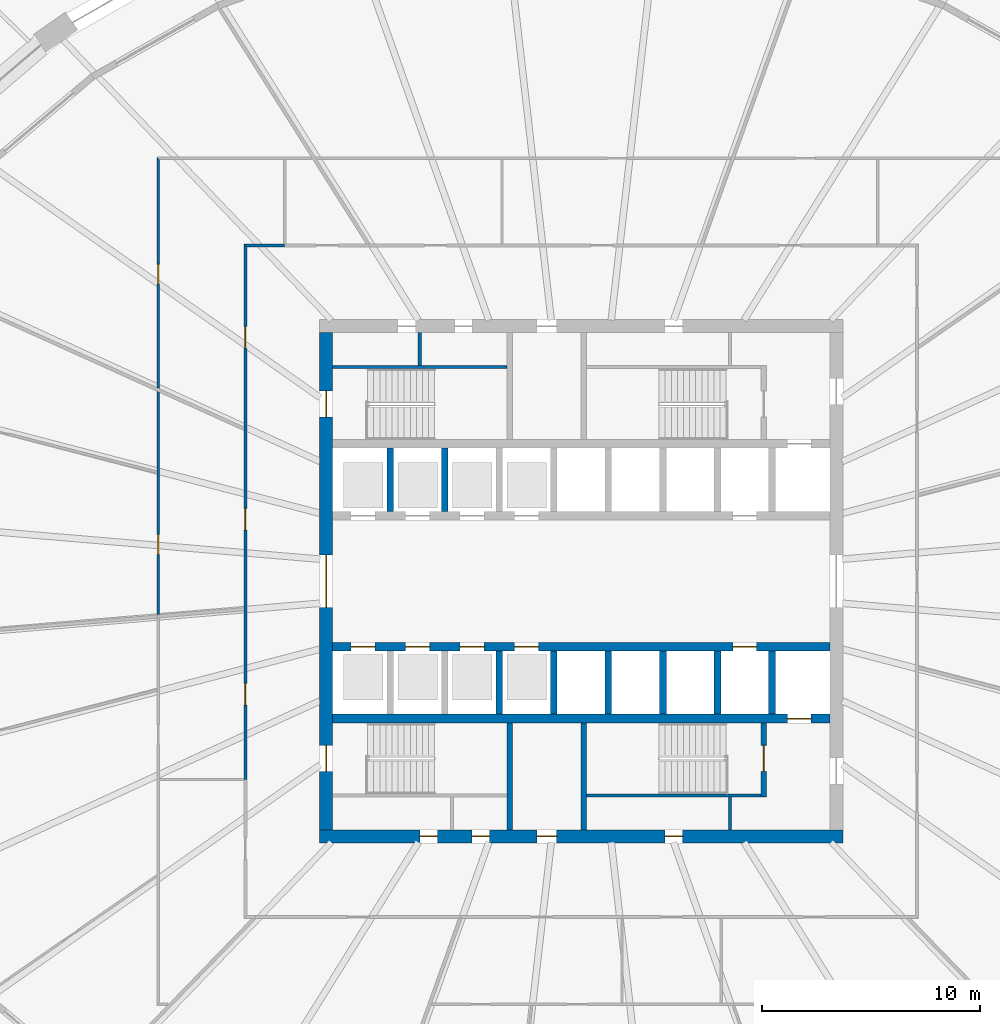
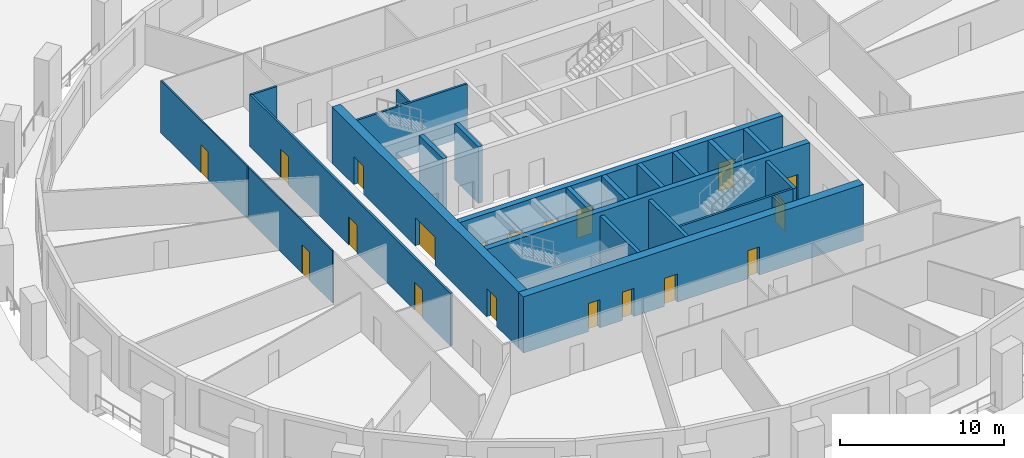
# One storey, part 7 of 16: 23 walls, 19 doors, 19 openings.
"""IFC4 building model written with IfcOpenShell, lengths in metres."""

from ifc_helpers import new_model, si_unit, direction, frame, frame_2d, origin, place, context, subcontext, project, spatial, polyline, rectangle, outline, extrude, material, layer, layer_set, type_object, element, fill, save


model = new_model("IFC4")

# Units and contexts
model_context = context("Model", 3, precision=1e-05, world=origin(), true_north=direction((0.0, 1.0)))
body_context = subcontext(model_context, "Body", "Model", "MODEL_VIEW")
ifc_project = project(units=[si_unit("LENGTHUNIT", "METRE"), si_unit("AREAUNIT", "SQUARE_METRE"), si_unit("VOLUMEUNIT", "CUBIC_METRE"), si_unit("PLANEANGLEUNIT", "RADIAN"), si_unit("MASSUNIT", "GRAM", prefix="KILO")], contexts=[model_context])

# Site, building, storey
site_placement = place(None, origin())
site = spatial("IfcSite", under=ifc_project, at=site_placement, CompositionType="ELEMENT")
building_placement = place(site_placement, origin())
building = spatial("IfcBuilding", under=site, at=building_placement, Name="Halqa Exchange Tower", CompositionType="ELEMENT")
storey_placement = place(building_placement, frame((0.0, 0.0, 23.5)))
storey = spatial("IfcBuildingStorey", under=building, at=storey_placement, Name="L04", CompositionType="ELEMENT", Elevation=23.5)

# Wall, openings, doors
ifc_material_1 = material(Name="Fire-rated gypsum board")
ifc_layer_1 = layer(ifc_material_1, 0.14990234375)
ifc_layer_set_1 = layer_set([ifc_layer_1], Name="Fire-rated gypsum board")
wall_type_1 = type_object("IfcWallType", Name="Fire partition EI 60 150", PredefinedType="PARTITIONING", material=ifc_layer_set_1)
wall_1_placement = place(storey_placement, frame((-15.39990234375, -9.090087890625, 0.0), z_axis=(0.0, 0.0, 1.0), x_axis=(0.0, 1.0, 0.0)))
wall_1 = element("IfcWall", 1, at=wall_1_placement, inside=storey, type_object=wall_type_1, Name="L04-PWL-015", PredefinedType="PARTITIONING", context=body_context, shape_type="SweptSolid", body=[
    extrude(outline(polyline([(0.0, -0.074951171875), (1.878173828125, -0.074951171875), (3.756103515625, -0.074951171875), (5.63427734375, -0.074951171875), (7.51220703125, -0.074951171875), (9.390380859375, -0.074951171875), (11.2685546875, -0.074951171875), (13.146484375, -0.074951171875), (15.024658203125, -0.074951171875), (16.90283203125, -0.074951171875), (18.78076171875, -0.074951171875), (20.658935546875, -0.074951171875), (22.536865234375, -0.074951171875), (24.4150390625, -0.074951171875), (24.56494140625, 0.074951171875), (22.67529296875, 0.074951171875), (20.78564453125, 0.074951171875), (18.89599609375, 0.074951171875), (17.006591796875, 0.074951171875), (15.116943359375, 0.074951171875), (13.227294921875, 0.074951171875), (11.337646484375, 0.074951171875), (9.447998046875, 0.074951171875), (7.558349609375, 0.074951171875), (5.6689453125, 0.074951171875), (3.779296875, 0.074951171875), (1.8896484375, 0.074951171875), (0.0, 0.074951171875), (0.0, -0.074951171875)])), origin(), (0.0, 0.0, 1.0), 3.89990234375),
])
opening_1_placement = place(wall_1_placement, frame((19.77001953125, 0.0, 0.0)))
opening_1 = element("IfcOpeningElement", 2, at=opening_1_placement, cuts=wall_1, Name="Opening 01-08", PredefinedType="OPENING", context=body_context, shape_type="SweptSolid", body=[
    extrude(rectangle(XDim=1.0, YDim=2.10009765625, at=frame_2d((0.5, 1.050048828125))), frame((0.0, 0.0869140625, 0.0), z_axis=(0.0, -1.0, 0.0), x_axis=(1.0, 0.0, 0.0)), (0.0, 0.0, 1.0), 0.173828125),
])
opening_2_placement = place(wall_1_placement, frame((11.429931640625, 0.0, 0.0)))
opening_2 = element("IfcOpeningElement", 3, at=opening_2_placement, cuts=wall_1, Name="Opening 01-10", PredefinedType="OPENING", context=body_context, shape_type="SweptSolid", body=[
    extrude(rectangle(XDim=1.0, YDim=2.10009765625, at=frame_2d((0.5, 1.050048828125))), frame((0.0, 0.0869140625, 0.0), z_axis=(0.0, -1.0, 0.0), x_axis=(1.0, 0.0, 0.0)), (0.0, 0.0, 1.0), 0.173828125),
])
opening_3_placement = place(wall_1_placement, frame((3.405029296875, 0.0, 0.0)))
opening_3 = element("IfcOpeningElement", 4, at=opening_3_placement, cuts=wall_1, Name="Opening 01-12", PredefinedType="OPENING", context=body_context, shape_type="SweptSolid", body=[
    extrude(rectangle(XDim=1.0, YDim=2.10009765625, at=frame_2d((0.5, 1.050048828125))), frame((0.0, 0.0869140625, 0.0), z_axis=(0.0, -1.0, 0.0), x_axis=(1.0, 0.0, 0.0)), (0.0, 0.0, 1.0), 0.173828125),
])
ifc_material_2 = material(Name="Steel fire door leaf", Category="steel")
door_type_1 = type_object("IfcDoorType", Name="Fire door FD30S 1000 x 2100", OperationType="SINGLE_SWING_LEFT", PredefinedType="DOOR", material=ifc_material_2)
door_1_placement = place(opening_1_placement, origin())
door_1 = element("IfcDoor", 5, at=door_1_placement, inside=storey, type_object=door_type_1, Name="L04-IDR-008", OperationType="SINGLE_SWING_RIGHT", OverallHeight=2.10009765625, OverallWidth=1.0, PredefinedType="DOOR", context=body_context, shape_type="SweptSolid", body=[
    extrude(rectangle(XDim=1.0, YDim=2.10009765625, at=frame_2d((0.5, 1.050048828125))), frame((0.0, 0.02490234375, 0.0), z_axis=(0.0, -1.0, 0.0), x_axis=(1.0, 0.0, 0.0)), (0.0, 0.0, 1.0), 0.050048828125),
])
fill(opening_1, door_1)
door_2_placement = place(opening_2_placement, origin())
door_2 = element("IfcDoor", 6, at=door_2_placement, inside=storey, type_object=door_type_1, Name="L04-IDR-010", OperationType="SINGLE_SWING_RIGHT", OverallHeight=2.10009765625, OverallWidth=1.0, PredefinedType="DOOR", context=body_context, shape_type="SweptSolid", body=[
    extrude(rectangle(XDim=1.0, YDim=2.10009765625, at=frame_2d((0.5, 1.050048828125))), frame((0.0, 0.02490234375, 0.0), z_axis=(0.0, -1.0, 0.0), x_axis=(1.0, 0.0, 0.0)), (0.0, 0.0, 1.0), 0.050048828125),
])
fill(opening_2, door_2)
door_3_placement = place(opening_3_placement, origin())
door_3 = element("IfcDoor", 7, at=door_3_placement, inside=storey, type_object=door_type_1, Name="L04-IDR-012", OperationType="SINGLE_SWING_RIGHT", OverallHeight=2.10009765625, OverallWidth=1.0, PredefinedType="DOOR", context=body_context, shape_type="SweptSolid", body=[
    extrude(rectangle(XDim=1.0, YDim=2.10009765625, at=frame_2d((0.5, 1.050048828125))), frame((0.0, 0.02490234375, 0.0), z_axis=(0.0, -1.0, 0.0), x_axis=(1.0, 0.0, 0.0)), (0.0, 0.0, 1.0), 0.050048828125),
])
fill(opening_3, door_3)

# Wall
wall_2_placement = place(storey_placement, frame((-15.47509765625, 15.39990234375, 0.0), z_axis=(0.0, 0.0, 1.0), x_axis=(1.0, 0.0, 0.0)))
element("IfcWall", 8, at=wall_2_placement, inside=storey, type_object=wall_type_1, Name="L04-PWL-017", PredefinedType="PARTITIONING", context=body_context, shape_type="SweptSolid", body=[
    extrude(outline(polyline([(1.875, 0.074951171875), (0.000244140625, 0.074951171875), (0.150146484375, -0.074951171875), (1.875, -0.074951171875), (1.875, 0.074951171875)])), origin(), (0.0, 0.0, 1.0), 3.89990234375),
])

# Wall, opening, door
ifc_material_3 = material(Name="Gypsum board")
ifc_layer_2 = layer(ifc_material_3, 0.10009765625)
ifc_layer_set_2 = layer_set([ifc_layer_2], Name="Gypsum board")
wall_type_2 = type_object("IfcWallType", Name="Partition 100 gypsum", PredefinedType="PARTITIONING", material=ifc_layer_set_2)
wall_3_placement = place(storey_placement, frame((-19.39990234375, -1.53857421875, 0.0), z_axis=(0.0, 0.0, 1.0), x_axis=(0.0, 1.0, 0.0)))
wall_3 = element("IfcWall", 9, at=wall_3_placement, inside=storey, type_object=wall_type_2, Name="L04-PWL-008", PredefinedType="PARTITIONING", context=body_context, shape_type="SweptSolid", body=[
    extrude(outline(polyline([(0.008056640625, -0.050048828125), (1.70703125, -0.050048828125), (3.40625, -0.050048828125), (5.105224609375, -0.050048828125), (6.804443359375, -0.050048828125), (8.50341796875, -0.050048828125), (10.20263671875, -0.050048828125), (10.24755859375, 0.04931640625), (10.24755859375, 0.050048828125), (8.415283203125, 0.050048828125), (6.5830078125, 0.050048828125), (6.58251953125, 0.048095703125), (6.575439453125, 0.050048828125), (4.931640625, 0.050048828125), (3.28759765625, 0.050048828125), (1.643798828125, 0.050048828125), (0.0, 0.050048828125), (0.0, 0.046142578125), (0.008056640625, -0.050048828125)])), origin(), (0.0, 0.0, 1.0), 3.89990234375),
])
opening_4_placement = place(wall_3_placement, frame((2.7734375, 0.0, 0.0)))
opening_4 = element("IfcOpeningElement", 10, at=opening_4_placement, cuts=wall_3, Name="Opening 01-23", PredefinedType="OPENING", context=body_context, shape_type="SweptSolid", body=[
    extrude(rectangle(XDim=0.89990234375, YDim=2.10009765625, at=frame_2d((0.449951171875, 1.050048828125))), frame((0.0, 0.06201171875, 0.0), z_axis=(0.0, -1.0, 0.0), x_axis=(1.0, 0.0, 0.0)), (0.0, 0.0, 1.0), 0.1240234375),
])
ifc_material_4 = material(Name="Timber door leaf", Category="wood")
door_type_2 = type_object("IfcDoorType", Name="Door 900 x 2100", OperationType="SINGLE_SWING_LEFT", PredefinedType="DOOR", material=ifc_material_4)
door_4_placement = place(opening_4_placement, frame((0.89990234375, 0.0, 0.0), z_axis=(0.0, 0.0, 1.0), x_axis=(-1.0, 0.0, 0.0)))
door_4 = element("IfcDoor", 11, at=door_4_placement, inside=storey, type_object=door_type_2, Name="L04-IDR-023", OperationType="SINGLE_SWING_LEFT", OverallHeight=2.10009765625, OverallWidth=0.89990234375, PredefinedType="DOOR", context=body_context, shape_type="SweptSolid", body=[
    extrude(rectangle(XDim=0.89990234375, YDim=2.10009765625, at=frame_2d((0.449951171875, 1.050048828125))), frame((0.0, 0.02490234375, 0.0), z_axis=(0.0, -1.0, 0.0), x_axis=(1.0, 0.0, 0.0)), (0.0, 0.0, 1.0), 0.050048828125),
])
fill(opening_4, door_4)

wall_4_placement = place(storey_placement, frame((-19.39990234375, 8.8291015625, 0.0), z_axis=(0.0, 0.0, 1.0), x_axis=(0.0, 1.0, 0.0)))
wall_4 = element("IfcWall", 12, at=wall_4_placement, inside=storey, type_object=wall_type_2, Name="L04-PWL-010", PredefinedType="PARTITIONING", context=body_context, shape_type="SweptSolid", body=[
    extrude(outline(polyline([(0.0, -0.050048828125), (1.75341796875, -0.050048828125), (3.5068359375, -0.050048828125), (5.26025390625, -0.050048828125), (7.013916015625, -0.050048828125), (8.767333984375, -0.050048828125), (10.520751953125, -0.050048828125), (10.52099609375, -0.0498046875), (10.620849609375, 0.050048828125), (8.858154296875, 0.050048828125), (7.095458984375, 0.050048828125), (5.332763671875, 0.050048828125), (3.570068359375, 0.050048828125), (1.8076171875, 0.050048828125), (0.044921875, 0.050048828125), (0.0, -0.049072265625), (0.0, -0.050048828125)])), origin(), (0.0, 0.0, 1.0), 3.89990234375),
])
opening_5_placement = place(wall_4_placement, frame((4.805908203125, 0.0, 0.0)))
opening_5 = element("IfcOpeningElement", 13, at=opening_5_placement, cuts=wall_4, Name="Opening 01-22", PredefinedType="OPENING", context=body_context, shape_type="SweptSolid", body=[
    extrude(rectangle(XDim=0.89990234375, YDim=2.10009765625, at=frame_2d((0.449951171875, 1.050048828125))), frame((0.0, 0.06201171875, 0.0), z_axis=(0.0, -1.0, 0.0), x_axis=(1.0, 0.0, 0.0)), (0.0, 0.0, 1.0), 0.1240234375),
])
door_5_placement = place(opening_5_placement, frame((0.89990234375, 0.0, 0.0), z_axis=(0.0, 0.0, 1.0), x_axis=(-1.0, 0.0, 0.0)))
door_5 = element("IfcDoor", 14, at=door_5_placement, inside=storey, type_object=door_type_2, Name="L04-IDR-022", OperationType="SINGLE_SWING_RIGHT", OverallHeight=2.10009765625, OverallWidth=0.89990234375, PredefinedType="DOOR", context=body_context, shape_type="SweptSolid", body=[
    extrude(rectangle(XDim=0.89990234375, YDim=2.10009765625, at=frame_2d((0.449951171875, 1.050048828125))), frame((0.0, 0.02490234375, 0.0), z_axis=(0.0, -1.0, 0.0), x_axis=(1.0, 0.0, 0.0)), (0.0, 0.0, 1.0), 0.050048828125),
])
fill(opening_5, door_5)

# Walls
ifc_layer_3 = layer(ifc_material_3, 0.14990234375)
ifc_layer_set_3 = layer_set([ifc_layer_3], Name="Gypsum board")
wall_type_3 = type_object("IfcWallType", Name="Penthouse riser wall 150 gypsum", PredefinedType="PARTITIONING", material=ifc_layer_set_3)
for number, where, z_axis, x_axis, name in (
    (15, (-7.39990234375, 9.89990234375, 0.0), (0.0, 0.0, 1.0), (0.0, 1.0, 0.0), "Partition W7.400 N"),
    (16, (6.824951171875, -11.39990234375, 0.0), (0.0, 0.0, 1.0), (0.0, 1.0, 0.0), "Firefighting lobby west wall S"),
):
    element("IfcWall", number, at=place(storey_placement, frame(where, z_axis=z_axis, x_axis=x_axis)), inside=storey, type_object=wall_type_3, Name=name, PredefinedType="PARTITIONING", context=body_context, shape_type="SweptSolid", body=[
        extrude(rectangle(XDim=1.5, YDim=0.14990234375, at=frame_2d((0.75, 0.0))), origin(), (0.0, 0.0, 1.0), 3.89990234375),
    ])
ifc_material_5 = material(Name="Concrete C60/75", Category="concrete")
ifc_layer_4 = layer(ifc_material_5, 0.300048828125)
ifc_layer_set_4 = layer_set([ifc_layer_4], Name="Concrete C60/75")
wall_type_4 = type_object("IfcWallType", Name="RC core wall 300", PredefinedType="SHEAR", material=ifc_layer_set_4)
for number, where, z_axis, x_axis, name in (
    (17, (-8.75, 3.199951171875, 0.0), (0.0, 0.0, 1.0), (0.0, 1.0, 0.0), "Shaft divider N1"),
    (18, (-6.25, 3.199951171875, 0.0), (0.0, 0.0, 1.0), (0.0, 1.0, 0.0), "Shaft divider N2"),
    (19, (-3.75, -6.10009765625, 0.0), (0.0, 0.0, 1.0), (0.0, 1.0, 0.0), "Shaft divider S3"),
    (20, (-1.25, -6.10009765625, 0.0), (0.0, 0.0, 1.0), (0.0, 1.0, 0.0), "Shaft divider S4"),
    (21, (1.25, -6.10009765625, 0.0), (0.0, 0.0, 1.0), (0.0, 1.0, 0.0), "Shaft divider S5"),
    (22, (3.75, -6.10009765625, 0.0), (0.0, 0.0, 1.0), (0.0, 1.0, 0.0), "Shaft divider S6"),
    (23, (6.25, -6.10009765625, 0.0), (0.0, 0.0, 1.0), (0.0, 1.0, 0.0), "Shaft divider S7"),
    (24, (8.75, -6.10009765625, 0.0), (0.0, 0.0, 1.0), (0.0, 1.0, 0.0), "Shaft divider S8"),
):
    element("IfcWall", number, at=place(storey_placement, frame(where, z_axis=z_axis, x_axis=x_axis)), inside=storey, type_object=wall_type_4, Name=name, PredefinedType="SHEAR", context=body_context, shape_type="SweptSolid", body=[
        extrude(rectangle(XDim=2.900146484375, YDim=0.300048828125, at=frame_2d((1.4501953125, 0.0))), origin(), (0.0, 0.0, 1.0), 4.199951171875),
    ])

# Wall, openings, doors
ifc_material_6 = material(Name="Concrete C80/95", Category="concrete")
ifc_layer_5 = layer(ifc_material_6, 0.39990234375)
ifc_layer_set_5 = layer_set([ifc_layer_5], Name="Concrete C80/95")
wall_type_5 = type_object("IfcWallType", Name="RC core wall 400 C80/95", PredefinedType="SHEAR", material=ifc_layer_set_5)
wall_5_placement = place(storey_placement, frame((-11.39990234375, -3.0, 0.0), z_axis=(0.0, 0.0, 1.0), x_axis=(1.0, 0.0, 0.0)))
wall_5 = element("IfcWall", 25, at=wall_5_placement, inside=storey, type_object=wall_type_5, Name="Lift row front wall S", PredefinedType="SHEAR", context=body_context, shape_type="SweptSolid", body=[
    extrude(rectangle(XDim=22.7998046875, YDim=0.39990234375, at=frame_2d((11.39990234375, 0.0))), origin(), (0.0, 0.0, 1.0), 4.199951171875),
])
opening_6_placement = place(wall_5_placement, frame((0.85009765625, 0.0, 0.0)))
opening_6 = element("IfcOpeningElement", 26, at=opening_6_placement, cuts=wall_5, Name="Opening LD-LR5-T01", PredefinedType="OPENING", context=body_context, shape_type="SweptSolid", body=[
    extrude(rectangle(XDim=1.10009765625, YDim=2.10009765625, at=frame_2d((0.550048828125, 1.050048828125))), frame((0.0, 0.2119140625, 0.0), z_axis=(0.0, -1.0, 0.0), x_axis=(1.0, 0.0, 0.0)), (0.0, 0.0, 1.0), 0.423828125),
])
opening_7_placement = place(wall_5_placement, frame((3.35009765625, 0.0, 0.0)))
opening_7 = element("IfcOpeningElement", 27, at=opening_7_placement, cuts=wall_5, Name="Opening LD-LR6-T01", PredefinedType="OPENING", context=body_context, shape_type="SweptSolid", body=[
    extrude(rectangle(XDim=1.10009765625, YDim=2.10009765625, at=frame_2d((0.550048828125, 1.050048828125))), frame((0.0, 0.2119140625, 0.0), z_axis=(0.0, -1.0, 0.0), x_axis=(1.0, 0.0, 0.0)), (0.0, 0.0, 1.0), 0.423828125),
])
opening_8_placement = place(wall_5_placement, frame((5.85009765625, 0.0, 0.0)))
opening_8 = element("IfcOpeningElement", 28, at=opening_8_placement, cuts=wall_5, Name="Opening LD-LR7-T01", PredefinedType="OPENING", context=body_context, shape_type="SweptSolid", body=[
    extrude(rectangle(XDim=1.10009765625, YDim=2.10009765625, at=frame_2d((0.550048828125, 1.050048828125))), frame((0.0, 0.2119140625, 0.0), z_axis=(0.0, -1.0, 0.0), x_axis=(1.0, 0.0, 0.0)), (0.0, 0.0, 1.0), 0.423828125),
])
opening_9_placement = place(wall_5_placement, frame((8.35009765625, 0.0, 0.0)))
opening_9 = element("IfcOpeningElement", 29, at=opening_9_placement, cuts=wall_5, Name="Opening LD-LR8-T01", PredefinedType="OPENING", context=body_context, shape_type="SweptSolid", body=[
    extrude(rectangle(XDim=1.10009765625, YDim=2.10009765625, at=frame_2d((0.550048828125, 1.050048828125))), frame((0.0, 0.2119140625, 0.0), z_axis=(0.0, -1.0, 0.0), x_axis=(1.0, 0.0, 0.0)), (0.0, 0.0, 1.0), 0.423828125),
])
opening_10_placement = place(wall_5_placement, frame((18.35009765625, 0.0, 0.0)))
opening_10 = element("IfcOpeningElement", 30, at=opening_10_placement, cuts=wall_5, Name="Opening LD-SV2-T01", PredefinedType="OPENING", context=body_context, shape_type="SweptSolid", body=[
    extrude(rectangle(XDim=1.10009765625, YDim=2.10009765625, at=frame_2d((0.550048828125, 1.050048828125))), frame((0.0, 0.2119140625, 0.0), z_axis=(0.0, -1.0, 0.0), x_axis=(1.0, 0.0, 0.0)), (0.0, 0.0, 1.0), 0.423828125),
])
ifc_material_7 = material(Name="Stainless steel", Category="steel")
door_type_3 = type_object("IfcDoorType", Name="Lift landing door 1100 x 2100", OperationType="SLIDING_TO_LEFT", PredefinedType="DOOR", material=ifc_material_7)
door_6_placement = place(opening_6_placement, origin())
door_6 = element("IfcDoor", 31, at=door_6_placement, inside=storey, type_object=door_type_3, Name="Lift landing door LR5", OperationType="SLIDING_TO_LEFT", OverallHeight=2.10009765625, OverallWidth=1.10009765625, PredefinedType="DOOR", context=body_context, shape_type="SweptSolid", body=[
    extrude(rectangle(XDim=1.10009765625, YDim=2.10009765625, at=frame_2d((0.550048828125, 1.050048828125))), frame((0.0, 0.02490234375, 0.0), z_axis=(0.0, -1.0, 0.0), x_axis=(1.0, 0.0, 0.0)), (0.0, 0.0, 1.0), 0.050048828125),
])
fill(opening_6, door_6)
door_7_placement = place(opening_7_placement, origin())
door_7 = element("IfcDoor", 32, at=door_7_placement, inside=storey, type_object=door_type_3, Name="Lift landing door LR6", OperationType="SLIDING_TO_LEFT", OverallHeight=2.10009765625, OverallWidth=1.10009765625, PredefinedType="DOOR", context=body_context, shape_type="SweptSolid", body=[
    extrude(rectangle(XDim=1.10009765625, YDim=2.10009765625, at=frame_2d((0.550048828125, 1.050048828125))), frame((0.0, 0.02490234375, 0.0), z_axis=(0.0, -1.0, 0.0), x_axis=(1.0, 0.0, 0.0)), (0.0, 0.0, 1.0), 0.050048828125),
])
fill(opening_7, door_7)
door_8_placement = place(opening_8_placement, origin())
door_8 = element("IfcDoor", 33, at=door_8_placement, inside=storey, type_object=door_type_3, Name="Lift landing door LR7", OperationType="SLIDING_TO_LEFT", OverallHeight=2.10009765625, OverallWidth=1.10009765625, PredefinedType="DOOR", context=body_context, shape_type="SweptSolid", body=[
    extrude(rectangle(XDim=1.10009765625, YDim=2.10009765625, at=frame_2d((0.550048828125, 1.050048828125))), frame((0.0, 0.02490234375, 0.0), z_axis=(0.0, -1.0, 0.0), x_axis=(1.0, 0.0, 0.0)), (0.0, 0.0, 1.0), 0.050048828125),
])
fill(opening_8, door_8)
door_9_placement = place(opening_9_placement, origin())
door_9 = element("IfcDoor", 34, at=door_9_placement, inside=storey, type_object=door_type_3, Name="Lift landing door LR8", OperationType="SLIDING_TO_LEFT", OverallHeight=2.10009765625, OverallWidth=1.10009765625, PredefinedType="DOOR", context=body_context, shape_type="SweptSolid", body=[
    extrude(rectangle(XDim=1.10009765625, YDim=2.10009765625, at=frame_2d((0.550048828125, 1.050048828125))), frame((0.0, 0.02490234375, 0.0), z_axis=(0.0, -1.0, 0.0), x_axis=(1.0, 0.0, 0.0)), (0.0, 0.0, 1.0), 0.050048828125),
])
fill(opening_9, door_9)
door_10_placement = place(opening_10_placement, origin())
door_10 = element("IfcDoor", 35, at=door_10_placement, inside=storey, type_object=door_type_3, Name="Lift landing door SV2", OperationType="SLIDING_TO_LEFT", OverallHeight=2.10009765625, OverallWidth=1.10009765625, PredefinedType="DOOR", context=body_context, shape_type="SweptSolid", body=[
    extrude(rectangle(XDim=1.10009765625, YDim=2.10009765625, at=frame_2d((0.550048828125, 1.050048828125))), frame((0.0, 0.02490234375, 0.0), z_axis=(0.0, -1.0, 0.0), x_axis=(1.0, 0.0, 0.0)), (0.0, 0.0, 1.0), 0.050048828125),
])
fill(opening_10, door_10)

# Wall, opening, door
wall_6_placement = place(storey_placement, frame((-11.39990234375, -6.300048828125, 0.0), z_axis=(0.0, 0.0, 1.0), x_axis=(1.0, 0.0, 0.0)))
wall_6 = element("IfcWall", 36, at=wall_6_placement, inside=storey, type_object=wall_type_5, Name="Lift row back wall S", PredefinedType="SHEAR", context=body_context, shape_type="SweptSolid", body=[
    extrude(rectangle(XDim=22.7998046875, YDim=0.39990234375, at=frame_2d((11.39990234375, 0.0))), origin(), (0.0, 0.0, 1.0), 4.199951171875),
])
opening_11_placement = place(wall_6_placement, frame((20.85009765625, 0.0, 0.0)))
opening_11 = element("IfcOpeningElement", 37, at=opening_11_placement, cuts=wall_6, Name="Opening LD-FF2-T01", PredefinedType="OPENING", context=body_context, shape_type="SweptSolid", body=[
    extrude(rectangle(XDim=1.10009765625, YDim=2.10009765625, at=frame_2d((0.550048828125, 1.050048828125))), frame((0.0, 0.2119140625, 0.0), z_axis=(0.0, -1.0, 0.0), x_axis=(1.0, 0.0, 0.0)), (0.0, 0.0, 1.0), 0.423828125),
])
door_11_placement = place(opening_11_placement, origin())
door_11 = element("IfcDoor", 38, at=door_11_placement, inside=storey, type_object=door_type_3, Name="Lift landing door FF2", OperationType="SLIDING_TO_LEFT", OverallHeight=2.10009765625, OverallWidth=1.10009765625, PredefinedType="DOOR", context=body_context, shape_type="SweptSolid", body=[
    extrude(rectangle(XDim=1.10009765625, YDim=2.10009765625, at=frame_2d((0.550048828125, 1.050048828125))), frame((0.0, 0.02490234375, 0.0), z_axis=(0.0, -1.0, 0.0), x_axis=(1.0, 0.0, 0.0)), (0.0, 0.0, 1.0), 0.050048828125),
])
fill(opening_11, door_11)

# Wall, openings, doors
ifc_layer_6 = layer(ifc_material_6, 0.60009765625)
ifc_layer_set_6 = layer_set([ifc_layer_6], Name="Concrete C80/95")
wall_type_6 = type_object("IfcWallType", Name="RC core wall 600 C80/95", PredefinedType="SHEAR", material=ifc_layer_set_6)
wall_7_placement = place(storey_placement, frame((-12.0, -11.699951171875, 0.0), z_axis=(0.0, 0.0, 1.0), x_axis=(1.0, 0.0, 0.0)))
wall_7 = element("IfcWall", 39, at=wall_7_placement, inside=storey, type_object=wall_type_6, Name="Core wall south", PredefinedType="SHEAR", context=body_context, shape_type="SweptSolid", body=[
    extrude(rectangle(XDim=24.0, YDim=0.60009765625, at=frame_2d((12.0, 0.0))), origin(), (0.0, 0.0, 1.0), 4.199951171875),
])
opening_12_placement = place(wall_7_placement, frame((9.97509765625, 0.0, 0.0)))
opening_12 = element("IfcOpeningElement", 40, at=opening_12_placement, cuts=wall_7, Name="Opening T01-C25", PredefinedType="OPENING", context=body_context, shape_type="SweptSolid", body=[
    extrude(rectangle(XDim=0.89990234375, YDim=2.10009765625, at=frame_2d((0.449951171875, 1.050048828125))), frame((0.0, 0.31201171875, 0.0), z_axis=(0.0, -1.0, 0.0), x_axis=(1.0, 0.0, 0.0)), (0.0, 0.0, 1.0), 0.6240234375),
])
opening_13_placement = place(wall_7_placement, frame((4.60009765625, 0.0, 0.0)))
opening_13 = element("IfcOpeningElement", 41, at=opening_13_placement, cuts=wall_7, Name="Opening T01-C26", PredefinedType="OPENING", context=body_context, shape_type="SweptSolid", body=[
    extrude(rectangle(XDim=0.800048828125, YDim=2.10009765625, at=frame_2d((0.39990234375, 1.050048828125))), frame((0.0, 0.31201171875, 0.0), z_axis=(0.0, -1.0, 0.0), x_axis=(1.0, 0.0, 0.0)), (0.0, 0.0, 1.0), 0.6240234375),
])
opening_14_placement = place(wall_7_placement, frame((7.0, 0.0, 0.0)))
opening_14 = element("IfcOpeningElement", 42, at=opening_14_placement, cuts=wall_7, Name="Opening T01-C27", PredefinedType="OPENING", context=body_context, shape_type="SweptSolid", body=[
    extrude(rectangle(XDim=0.800048828125, YDim=2.10009765625, at=frame_2d((0.39990234375, 1.050048828125))), frame((0.0, 0.31201171875, 0.0), z_axis=(0.0, -1.0, 0.0), x_axis=(1.0, 0.0, 0.0)), (0.0, 0.0, 1.0), 0.6240234375),
])
opening_15_placement = place(wall_7_placement, frame((15.85009765625, 0.0, 0.0)))
opening_15 = element("IfcOpeningElement", 43, at=opening_15_placement, cuts=wall_7, Name="Opening T01-C28", PredefinedType="OPENING", context=body_context, shape_type="SweptSolid", body=[
    extrude(rectangle(XDim=0.800048828125, YDim=2.10009765625, at=frame_2d((0.39990234375, 1.050048828125))), frame((0.0, 0.31201171875, 0.0), z_axis=(0.0, -1.0, 0.0), x_axis=(1.0, 0.0, 0.0)), (0.0, 0.0, 1.0), 0.6240234375),
])
ifc_material_8 = material(Name="Timber fire door leaf", Category="wood")
door_type_4 = type_object("IfcDoorType", Name="Core room door FD30 900 x 2100", OperationType="SINGLE_SWING_LEFT", PredefinedType="DOOR", material=ifc_material_8)
door_12_placement = place(opening_12_placement, origin())
door_12 = element("IfcDoor", 44, at=door_12_placement, inside=storey, type_object=door_type_4, Name="Core room door", OperationType="SINGLE_SWING_LEFT", OverallHeight=2.10009765625, OverallWidth=0.89990234375, PredefinedType="DOOR", context=body_context, shape_type="SweptSolid", body=[
    extrude(rectangle(XDim=0.89990234375, YDim=2.10009765625, at=frame_2d((0.449951171875, 1.050048828125))), frame((0.0, 0.02490234375, 0.0), z_axis=(0.0, -1.0, 0.0), x_axis=(1.0, 0.0, 0.0)), (0.0, 0.0, 1.0), 0.050048828125),
])
fill(opening_12, door_12)
door_type_5 = type_object("IfcDoorType", Name="Riser door FD60 800 x 2100", OperationType="SINGLE_SWING_LEFT", PredefinedType="DOOR", material=ifc_material_2)
door_13_placement = place(opening_13_placement, origin())
door_13 = element("IfcDoor", 45, at=door_13_placement, inside=storey, type_object=door_type_5, Name="Core room door", OperationType="SINGLE_SWING_LEFT", OverallHeight=2.10009765625, OverallWidth=0.800048828125, PredefinedType="DOOR", context=body_context, shape_type="SweptSolid", body=[
    extrude(rectangle(XDim=0.800048828125, YDim=2.10009765625, at=frame_2d((0.39990234375, 1.050048828125))), frame((0.0, 0.02490234375, 0.0), z_axis=(0.0, -1.0, 0.0), x_axis=(1.0, 0.0, 0.0)), (0.0, 0.0, 1.0), 0.050048828125),
])
fill(opening_13, door_13)
door_14_placement = place(opening_14_placement, origin())
door_14 = element("IfcDoor", 46, at=door_14_placement, inside=storey, type_object=door_type_5, Name="Core room door", OperationType="SINGLE_SWING_LEFT", OverallHeight=2.10009765625, OverallWidth=0.800048828125, PredefinedType="DOOR", context=body_context, shape_type="SweptSolid", body=[
    extrude(rectangle(XDim=0.800048828125, YDim=2.10009765625, at=frame_2d((0.39990234375, 1.050048828125))), frame((0.0, 0.02490234375, 0.0), z_axis=(0.0, -1.0, 0.0), x_axis=(1.0, 0.0, 0.0)), (0.0, 0.0, 1.0), 0.050048828125),
])
fill(opening_14, door_14)
door_15_placement = place(opening_15_placement, origin())
door_15 = element("IfcDoor", 47, at=door_15_placement, inside=storey, type_object=door_type_5, Name="Core room door", OperationType="SINGLE_SWING_LEFT", OverallHeight=2.10009765625, OverallWidth=0.800048828125, PredefinedType="DOOR", context=body_context, shape_type="SweptSolid", body=[
    extrude(rectangle(XDim=0.800048828125, YDim=2.10009765625, at=frame_2d((0.39990234375, 1.050048828125))), frame((0.0, 0.02490234375, 0.0), z_axis=(0.0, -1.0, 0.0), x_axis=(1.0, 0.0, 0.0)), (0.0, 0.0, 1.0), 0.050048828125),
])
fill(opening_15, door_15)

wall_8_placement = place(storey_placement, frame((-11.699951171875, -11.39990234375, 0.0), z_axis=(0.0, 0.0, 1.0), x_axis=(0.0, 1.0, 0.0)))
wall_8 = element("IfcWall", 48, at=wall_8_placement, inside=storey, type_object=wall_type_6, Name="Core wall west", PredefinedType="SHEAR", context=body_context, shape_type="SweptSolid", body=[
    extrude(rectangle(XDim=22.7998046875, YDim=0.60009765625, at=frame_2d((11.39990234375, 0.0))), origin(), (0.0, 0.0, 1.0), 4.199951171875),
])
opening_16_placement = place(wall_8_placement, frame((10.199951171875, 0.0, 0.0)))
opening_16 = element("IfcOpeningElement", 49, at=opening_16_placement, cuts=wall_8, Name="Opening T01-C13", PredefinedType="OPENING", context=body_context, shape_type="SweptSolid", body=[
    extrude(rectangle(XDim=2.39990234375, YDim=2.10009765625, at=frame_2d((1.199951171875, 1.050048828125))), frame((0.0, 0.31201171875, 0.0), z_axis=(0.0, -1.0, 0.0), x_axis=(1.0, 0.0, 0.0)), (0.0, 0.0, 1.0), 0.6240234375),
])
opening_17_placement = place(wall_8_placement, frame((18.925048828125, 0.0, 0.0)))
opening_17 = element("IfcOpeningElement", 50, at=opening_17_placement, cuts=wall_8, Name="Opening T01-C15", PredefinedType="OPENING", context=body_context, shape_type="SweptSolid", body=[
    extrude(rectangle(XDim=1.199951171875, YDim=2.10009765625, at=frame_2d((0.60009765625, 1.050048828125))), frame((0.0, 0.31201171875, 0.0), z_axis=(0.0, -1.0, 0.0), x_axis=(1.0, 0.0, 0.0)), (0.0, 0.0, 1.0), 0.6240234375),
])
opening_18_placement = place(wall_8_placement, frame((2.675048828125, 0.0, 0.0)))
opening_18 = element("IfcOpeningElement", 51, at=opening_18_placement, cuts=wall_8, Name="Opening T01-C17", PredefinedType="OPENING", context=body_context, shape_type="SweptSolid", body=[
    extrude(rectangle(XDim=1.199951171875, YDim=2.10009765625, at=frame_2d((0.60009765625, 1.050048828125))), frame((0.0, 0.31201171875, 0.0), z_axis=(0.0, -1.0, 0.0), x_axis=(1.0, 0.0, 0.0)), (0.0, 0.0, 1.0), 0.6240234375),
])
door_type_6 = type_object("IfcDoorType", Name="Lobby double door FD60 2400 x 2100", OperationType="DOUBLE_DOOR_SINGLE_SWING", PredefinedType="DOOR", material=ifc_material_2)
door_16_placement = place(opening_16_placement, frame((2.39990234375, 0.0, 0.0), z_axis=(0.0, 0.0, 1.0), x_axis=(-1.0, 0.0, 0.0)))
door_16 = element("IfcDoor", 52, at=door_16_placement, inside=storey, type_object=door_type_6, Name="Lift lobby double door", OperationType="DOUBLE_DOOR_SINGLE_SWING", OverallHeight=2.10009765625, OverallWidth=2.39990234375, PredefinedType="DOOR", context=body_context, shape_type="SweptSolid", body=[
    extrude(rectangle(XDim=2.39990234375, YDim=2.10009765625, at=frame_2d((1.199951171875, 1.050048828125))), frame((0.0, 0.02490234375, 0.0), z_axis=(0.0, -1.0, 0.0), x_axis=(1.0, 0.0, 0.0)), (0.0, 0.0, 1.0), 0.050048828125),
])
fill(opening_16, door_16)
door_type_7 = type_object("IfcDoorType", Name="Stair door FD90 1200 x 2100", OperationType="SINGLE_SWING_LEFT", PredefinedType="DOOR", material=ifc_material_2)
door_17_placement = place(opening_17_placement, frame((1.199951171875, 0.0, 0.0), z_axis=(0.0, 0.0, 1.0), x_axis=(-1.0, 0.0, 0.0)))
door_17 = element("IfcDoor", 53, at=door_17_placement, inside=storey, type_object=door_type_7, Name="Stair door ST1", OperationType="SINGLE_SWING_LEFT", OverallHeight=2.10009765625, OverallWidth=1.199951171875, PredefinedType="DOOR", context=body_context, shape_type="SweptSolid", body=[
    extrude(rectangle(XDim=1.199951171875, YDim=2.10009765625, at=frame_2d((0.60009765625, 1.050048828125))), frame((0.0, 0.02490234375, 0.0), z_axis=(0.0, -1.0, 0.0), x_axis=(1.0, 0.0, 0.0)), (0.0, 0.0, 1.0), 0.050048828125),
])
fill(opening_17, door_17)
door_18_placement = place(opening_18_placement, frame((1.199951171875, 0.0, 0.0), z_axis=(0.0, 0.0, 1.0), x_axis=(-1.0, 0.0, 0.0)))
door_18 = element("IfcDoor", 54, at=door_18_placement, inside=storey, type_object=door_type_7, Name="Stair door ST3", OperationType="SINGLE_SWING_LEFT", OverallHeight=2.10009765625, OverallWidth=1.199951171875, PredefinedType="DOOR", context=body_context, shape_type="SweptSolid", body=[
    extrude(rectangle(XDim=1.199951171875, YDim=2.10009765625, at=frame_2d((0.60009765625, 1.050048828125))), frame((0.0, 0.02490234375, 0.0), z_axis=(0.0, -1.0, 0.0), x_axis=(1.0, 0.0, 0.0)), (0.0, 0.0, 1.0), 0.050048828125),
])
fill(opening_18, door_18)

# Walls
ifc_material_9 = material(Name="Concrete C30/37", Category="concrete")
ifc_layer_7 = layer(ifc_material_9, 0.14990234375)
ifc_layer_set_7 = layer_set([ifc_layer_7], Name="Concrete C30/37")
wall_type_7 = type_object("IfcWallType", Name="RC stair wall 150 C30/37", PredefinedType="SHEAR", material=ifc_layer_set_7)
for number, where, z_axis, x_axis, name in (
    (55, (-11.39990234375, 9.824951171875, 0.0), (0.0, 0.0, 1.0), (1.0, 0.0, 0.0), "Stair ST1 north wall N"),
    (56, (0.25, -9.824951171875, 0.0), (0.0, 0.0, 1.0), (1.0, 0.0, 0.0), "Stair ST2 north wall S"),
):
    element("IfcWall", number, at=place(storey_placement, frame(where, z_axis=z_axis, x_axis=x_axis)), inside=storey, type_object=wall_type_7, Name=name, PredefinedType="SHEAR", context=body_context, shape_type="SweptSolid", body=[
        extrude(rectangle(XDim=8.0, YDim=0.14990234375, at=frame_2d((4.0, 0.0))), origin(), (0.0, 0.0, 1.0), 3.89990234375),
    ])
ifc_layer_8 = layer(ifc_material_9, 0.25)
ifc_layer_set_8 = layer_set([ifc_layer_8], Name="Concrete C30/37")
wall_type_8 = type_object("IfcWallType", Name="RC stair wall 250 C30/37", PredefinedType="SHEAR", material=ifc_layer_set_8)
for number, where, z_axis, x_axis, name in (
    (57, (-3.27490234375, -11.39990234375, 0.0), (0.0, 0.0, 1.0), (0.0, 1.0, 0.0), "Stair ST1 east wall S"),
    (58, (0.125, -11.39990234375, 0.0), (0.0, 0.0, 1.0), (0.0, 1.0, 0.0), "Stair ST2 west wall S"),
):
    element("IfcWall", number, at=place(storey_placement, frame(where, z_axis=z_axis, x_axis=x_axis)), inside=storey, type_object=wall_type_8, Name=name, PredefinedType="SHEAR", context=body_context, shape_type="SweptSolid", body=[
        extrude(rectangle(XDim=4.89990234375, YDim=0.25, at=frame_2d((2.449951171875, 0.0))), origin(), (0.0, 0.0, 1.0), 3.89990234375),
    ])

# Wall, opening, door
wall_9_placement = place(storey_placement, frame((8.375, -9.89990234375, 0.0), z_axis=(0.0, 0.0, 1.0), x_axis=(0.0, 1.0, 0.0)))
wall_9 = element("IfcWall", 59, at=wall_9_placement, inside=storey, type_object=wall_type_8, Name="Stair ST2 east wall S", PredefinedType="SHEAR", context=body_context, shape_type="SweptSolid", body=[
    extrude(rectangle(XDim=3.39990234375, YDim=0.25, at=frame_2d((1.699951171875, 0.0))), origin(), (0.0, 0.0, 1.0), 3.89990234375),
])
opening_19_placement = place(wall_9_placement, frame((1.175048828125, 0.0, 0.0)))
opening_19 = element("IfcOpeningElement", 60, at=opening_19_placement, cuts=wall_9, Name="Opening T01-C18", PredefinedType="OPENING", context=body_context, shape_type="SweptSolid", body=[
    extrude(rectangle(XDim=1.199951171875, YDim=2.10009765625, at=frame_2d((0.60009765625, 1.050048828125))), frame((0.0, 0.136962890625, 0.0), z_axis=(0.0, -1.0, 0.0), x_axis=(1.0, 0.0, 0.0)), (0.0, 0.0, 1.0), 0.27392578125),
])
door_19_placement = place(opening_19_placement, origin())
door_19 = element("IfcDoor", 61, at=door_19_placement, inside=storey, type_object=door_type_7, Name="Stair door ST4", OperationType="SINGLE_SWING_LEFT", OverallHeight=2.10009765625, OverallWidth=1.199951171875, PredefinedType="DOOR", context=body_context, shape_type="SweptSolid", body=[
    extrude(rectangle(XDim=1.199951171875, YDim=2.10009765625, at=frame_2d((0.60009765625, 1.050048828125))), frame((0.0, 0.02490234375, 0.0), z_axis=(0.0, -1.0, 0.0), x_axis=(1.0, 0.0, 0.0)), (0.0, 0.0, 1.0), 0.050048828125),
])
fill(opening_19, door_19)

save(model, "model.ifc")
